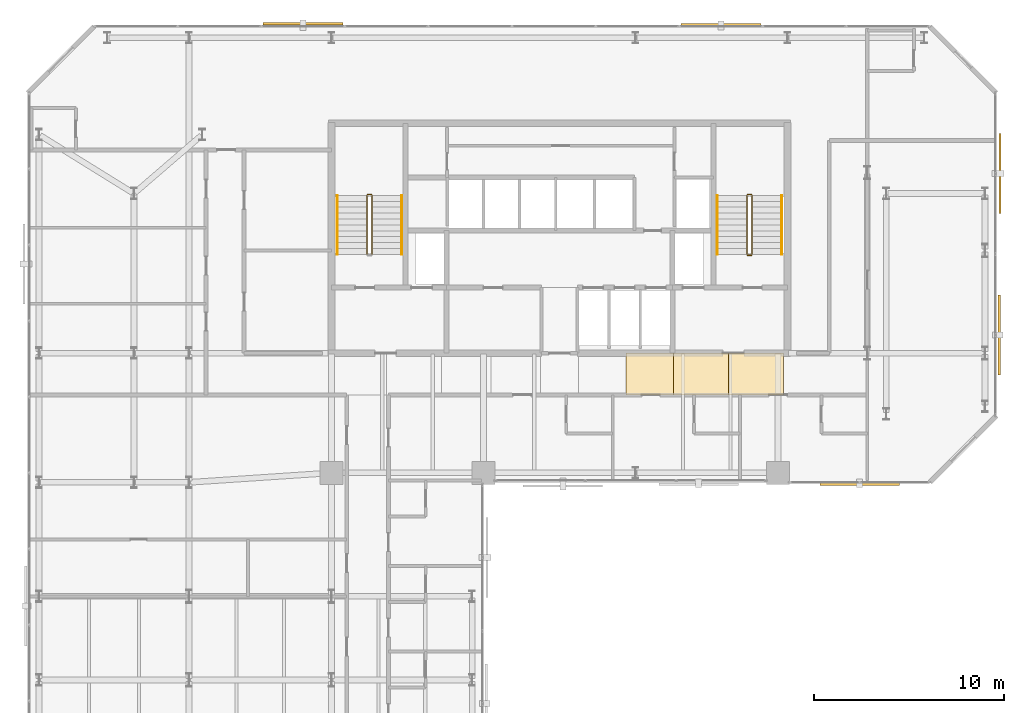
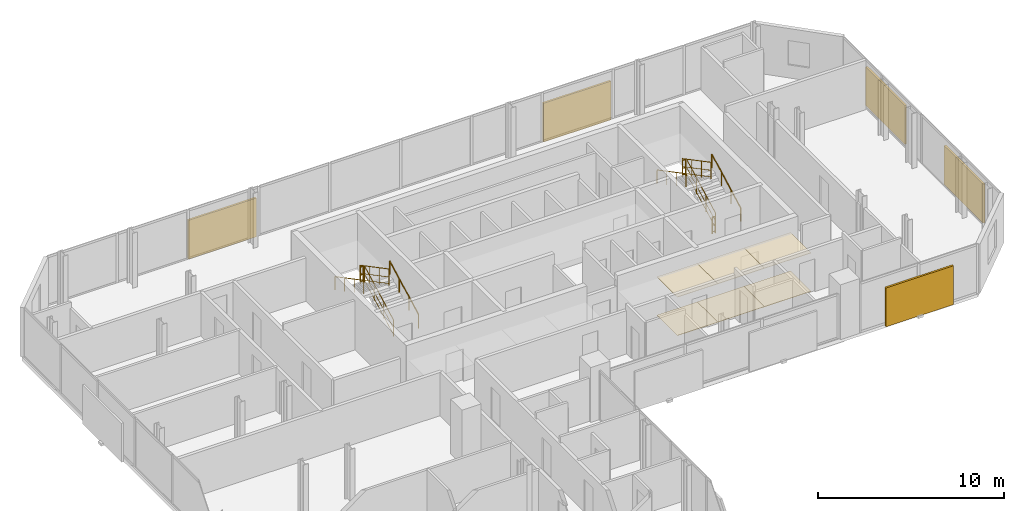
# One storey, part 32 of 32: 11 railings, 6 coverings, 5 shading devices.
"""IFC4 building model written with IfcOpenShell, lengths in metres."""

from ifc_helpers import new_model, si_unit, direction, frame, origin, origin_2d, place, context, subcontext, project, spatial, polyline, rectangle, circle, outline, extrude, material, layer, layer_set, type_object, element, save


model = new_model("IFC4")

# Units and contexts
model_context = context("Model", 3, precision=1e-05, world=origin(), true_north=direction((0.0, 1.0)))
body_context = subcontext(model_context, "Body", "Model", "MODEL_VIEW")
ifc_project = project(units=[si_unit("LENGTHUNIT", "METRE"), si_unit("AREAUNIT", "SQUARE_METRE"), si_unit("VOLUMEUNIT", "CUBIC_METRE"), si_unit("PLANEANGLEUNIT", "RADIAN"), si_unit("MASSUNIT", "GRAM", prefix="KILO")], contexts=[model_context])

# Site, building, storey
site_placement = place(None, origin())
site = spatial("IfcSite", under=ifc_project, at=site_placement, CompositionType="ELEMENT")
building_placement = place(site_placement, origin())
building = spatial("IfcBuilding", under=site, at=building_placement, Name="Catumbela Crestline Tower", CompositionType="ELEMENT")
storey_placement = place(building_placement, frame((0.0, 0.0, 140.4)))
storey = spatial("IfcBuildingStorey", under=building, at=storey_placement, Name="L36", CompositionType="ELEMENT", Elevation=140.4)

# Coverings
ifc_material_1 = material(Name="Mineral-fibre acoustic ceiling")
ifc_layer_1 = layer(ifc_material_1, 0.03, Name="Mineral-fibre acoustic ceiling")
ifc_layer_set_1 = layer_set([ifc_layer_1], Name="Mineral-fibre acoustic ceiling")
covering_type_1 = type_object("IfcCoveringType", Name="CC-AC", PredefinedType="CEILING", material=ifc_layer_set_1)
covering_1_placement = place(storey_placement, frame((0.0, 0.0, 2.52)))
element("IfcCovering", 1, at=covering_1_placement, inside=storey, type_object=covering_type_1, Name="L36 Corridor Acoustic Ceiling Bay 6", PredefinedType="CEILING", context=body_context, shape_type="SweptSolid", body=[
    extrude(outline(polyline([(31.5, 28.6), (34.0, 28.6), (34.0, 30.8), (31.5, 30.8), (31.5, 28.6)])), origin(), (0.0, 0.0, 1.0), 0.03),
])
covering_2_placement = place(storey_placement, frame((0.0, 0.0, 2.52)))
element("IfcCovering", 2, at=covering_2_placement, inside=storey, type_object=covering_type_1, Name="L36 Corridor Acoustic Ceiling Bay 7", PredefinedType="CEILING", context=body_context, shape_type="SweptSolid", body=[
    extrude(outline(polyline([(34.0, 28.6), (36.9, 28.6), (36.9, 30.8), (34.0, 30.8), (34.0, 28.6)])), origin(), (0.0, 0.0, 1.0), 0.03),
])
covering_3_placement = place(storey_placement, frame((0.0, 0.0, 2.52)))
element("IfcCovering", 3, at=covering_3_placement, inside=storey, type_object=covering_type_1, Name="L36 Corridor Acoustic Ceiling Bay 8", PredefinedType="CEILING", context=body_context, shape_type="SweptSolid", body=[
    extrude(outline(polyline([(36.9, 28.6), (39.8, 28.6), (39.8, 30.8), (36.9, 30.8), (36.9, 28.6)])), origin(), (0.0, 0.0, 1.0), 0.03),
])
ifc_material_2 = material(Name="Angolan grey-ochre granite", Category="masonry")
ifc_layer_2 = layer(ifc_material_2, 0.025, Name="Angolan grey-ochre granite")
ifc_layer_set_2 = layer_set([ifc_layer_2], Name="Angolan grey-ochre granite")
covering_type_2 = type_object("IfcCoveringType", Name="CF-GR", PredefinedType="FLOORING", material=ifc_layer_set_2)
covering_4_placement = place(storey_placement, origin())
element("IfcCovering", 4, at=covering_4_placement, inside=storey, type_object=covering_type_2, Name="L36 Corridor Granite Flooring Bay 6", PredefinedType="FLOORING", context=body_context, shape_type="SweptSolid", body=[
    extrude(outline(polyline([(31.5, 28.6), (34.0, 28.6), (34.0, 30.8), (31.5, 30.8), (31.5, 28.6)])), origin(), (0.0, 0.0, 1.0), 0.025),
])
covering_5_placement = place(storey_placement, origin())
element("IfcCovering", 5, at=covering_5_placement, inside=storey, type_object=covering_type_2, Name="L36 Corridor Granite Flooring Bay 7", PredefinedType="FLOORING", context=body_context, shape_type="SweptSolid", body=[
    extrude(outline(polyline([(34.0, 28.6), (36.9, 28.6), (36.9, 30.8), (34.0, 30.8), (34.0, 28.6)])), origin(), (0.0, 0.0, 1.0), 0.025),
])
covering_6_placement = place(storey_placement, origin())
element("IfcCovering", 6, at=covering_6_placement, inside=storey, type_object=covering_type_2, Name="L36 Corridor Granite Flooring Bay 8", PredefinedType="FLOORING", context=body_context, shape_type="SweptSolid", body=[
    extrude(outline(polyline([(36.9, 28.6), (39.8, 28.6), (39.8, 30.8), (36.9, 30.8), (36.9, 28.6)])), origin(), (0.0, 0.0, 1.0), 0.025),
])

# Railings
ifc_material_3 = material(Name="Stainless steel EN 1.4401", Category="steel")
railing_type_1 = type_object("IfcRailingType", Name="RG-1100", PredefinedType="GUARDRAIL", material=ifc_material_3)
railing_1_placement = place(storey_placement, frame((18.14, 36.0, 0.1636)))
element("IfcRailing", 7, at=railing_1_placement, inside=storey, type_object=railing_type_1, Name="L36 ST-01 stair guard 1", PredefinedType="GUARDRAIL", context=body_context, shape_type="SweptSolid", body=[
    extrude(circle(Radius=0.024, at=origin_2d()), frame((0.0, 0.0, 1.076), z_axis=(0.0, 0.884350731049, 0.466823076222), x_axis=(-1.0, 0.0, 0.0)), (0.0, 0.0, 1.0), 3.5054),
    extrude(circle(Radius=0.0156, at=origin_2d()), frame((0.0, 0.0, 0.55), z_axis=(0.0, 0.884350731049, 0.466823076222), x_axis=(-1.0, 0.0, 0.0)), (0.0, 0.0, 1.0), 3.5054),
    extrude(circle(Radius=0.0156, at=origin_2d()), frame((0.0, 0.0, 0.12), z_axis=(0.0, 0.884350731049, 0.466823076222), x_axis=(-1.0, 0.0, 0.0)), (0.0, 0.0, 1.0), 3.5054),
    extrude(circle(Radius=0.021, at=origin_2d()), origin(), (0.0, 0.0, 1.0), 1.052),
    extrude(circle(Radius=0.021, at=origin_2d()), frame((0.0, 1.0333, 0.5455)), (0.0, 0.0, 1.0), 1.052),
    extrude(circle(Radius=0.021, at=origin_2d()), frame((0.0, 2.0667, 1.0909)), (0.0, 0.0, 1.0), 1.052),
    extrude(circle(Radius=0.021, at=origin_2d()), frame((0.0, 3.1, 1.6364)), (0.0, 0.0, 1.0), 1.052),
])
railing_2_placement = place(storey_placement, frame((18.09, 39.15, 1.8)))
element("IfcRailing", 8, at=railing_2_placement, inside=storey, type_object=railing_type_1, Name="L36 ST-01 stair guard 2", PredefinedType="GUARDRAIL", context=body_context, shape_type="SweptSolid", body=[
    extrude(circle(Radius=0.024, at=origin_2d()), frame((0.0, 0.0, 1.076), z_axis=(-1.0, 0.0, 0.0), x_axis=(0.0, -1.0, 0.0)), (0.0, 0.0, 1.0), 0.18),
    extrude(circle(Radius=0.0156, at=origin_2d()), frame((0.0, 0.0, 0.55), z_axis=(-1.0, 0.0, 0.0), x_axis=(0.0, -1.0, 0.0)), (0.0, 0.0, 1.0), 0.18),
    extrude(circle(Radius=0.0156, at=origin_2d()), frame((0.0, 0.0, 0.12), z_axis=(-1.0, 0.0, 0.0), x_axis=(0.0, -1.0, 0.0)), (0.0, 0.0, 1.0), 0.18),
    extrude(circle(Radius=0.021, at=origin_2d()), origin(), (0.0, 0.0, 1.0), 1.052),
    extrude(circle(Radius=0.021, at=origin_2d()), frame((-0.18, 0.0, 0.0)), (0.0, 0.0, 1.0), 1.052),
])
railing_3_placement = place(storey_placement, frame((17.86, 39.1, 1.9636)))
element("IfcRailing", 9, at=railing_3_placement, inside=storey, type_object=railing_type_1, Name="L36 ST-01 stair guard 3", PredefinedType="GUARDRAIL", context=body_context, shape_type="SweptSolid", body=[
    extrude(circle(Radius=0.024, at=origin_2d()), frame((0.0, 0.0, 1.076), z_axis=(0.0, -0.884350731049, 0.466823076222), x_axis=(1.0, 0.0, 0.0)), (0.0, 0.0, 1.0), 3.5054),
    extrude(circle(Radius=0.0156, at=origin_2d()), frame((0.0, 0.0, 0.55), z_axis=(0.0, -0.884350731049, 0.466823076222), x_axis=(1.0, 0.0, 0.0)), (0.0, 0.0, 1.0), 3.5054),
    extrude(circle(Radius=0.0156, at=origin_2d()), frame((0.0, 0.0, 0.12), z_axis=(0.0, -0.884350731049, 0.466823076222), x_axis=(1.0, 0.0, 0.0)), (0.0, 0.0, 1.0), 3.5054),
    extrude(circle(Radius=0.021, at=origin_2d()), origin(), (0.0, 0.0, 1.0), 1.052),
    extrude(circle(Radius=0.021, at=origin_2d()), frame((0.0, -1.0333, 0.5455)), (0.0, 0.0, 1.0), 1.052),
    extrude(circle(Radius=0.021, at=origin_2d()), frame((0.0, -2.0667, 1.0909)), (0.0, 0.0, 1.0), 1.052),
    extrude(circle(Radius=0.021, at=origin_2d()), frame((0.0, -3.1, 1.6364)), (0.0, 0.0, 1.0), 1.052),
])
railing_4_placement = place(storey_placement, frame((38.14, 36.0, 0.1636)))
element("IfcRailing", 10, at=railing_4_placement, inside=storey, type_object=railing_type_1, Name="L36 ST-02 stair guard 1", PredefinedType="GUARDRAIL", context=body_context, shape_type="SweptSolid", body=[
    extrude(circle(Radius=0.024, at=origin_2d()), frame((0.0, 0.0, 1.076), z_axis=(0.0, 0.884350731049, 0.466823076222), x_axis=(-1.0, 0.0, 0.0)), (0.0, 0.0, 1.0), 3.5054),
    extrude(circle(Radius=0.0156, at=origin_2d()), frame((0.0, 0.0, 0.55), z_axis=(0.0, 0.884350731049, 0.466823076222), x_axis=(-1.0, 0.0, 0.0)), (0.0, 0.0, 1.0), 3.5054),
    extrude(circle(Radius=0.0156, at=origin_2d()), frame((0.0, 0.0, 0.12), z_axis=(0.0, 0.884350731049, 0.466823076222), x_axis=(-1.0, 0.0, 0.0)), (0.0, 0.0, 1.0), 3.5054),
    extrude(circle(Radius=0.021, at=origin_2d()), origin(), (0.0, 0.0, 1.0), 1.052),
    extrude(circle(Radius=0.021, at=origin_2d()), frame((0.0, 1.0333, 0.5455)), (0.0, 0.0, 1.0), 1.052),
    extrude(circle(Radius=0.021, at=origin_2d()), frame((0.0, 2.0667, 1.0909)), (0.0, 0.0, 1.0), 1.052),
    extrude(circle(Radius=0.021, at=origin_2d()), frame((0.0, 3.1, 1.6364)), (0.0, 0.0, 1.0), 1.052),
])
railing_5_placement = place(storey_placement, frame((38.09, 39.15, 1.8)))
element("IfcRailing", 11, at=railing_5_placement, inside=storey, type_object=railing_type_1, Name="L36 ST-02 stair guard 2", PredefinedType="GUARDRAIL", context=body_context, shape_type="SweptSolid", body=[
    extrude(circle(Radius=0.024, at=origin_2d()), frame((0.0, 0.0, 1.076), z_axis=(-1.0, 0.0, 0.0), x_axis=(0.0, -1.0, 0.0)), (0.0, 0.0, 1.0), 0.18),
    extrude(circle(Radius=0.0156, at=origin_2d()), frame((0.0, 0.0, 0.55), z_axis=(-1.0, 0.0, 0.0), x_axis=(0.0, -1.0, 0.0)), (0.0, 0.0, 1.0), 0.18),
    extrude(circle(Radius=0.0156, at=origin_2d()), frame((0.0, 0.0, 0.12), z_axis=(-1.0, 0.0, 0.0), x_axis=(0.0, -1.0, 0.0)), (0.0, 0.0, 1.0), 0.18),
    extrude(circle(Radius=0.021, at=origin_2d()), origin(), (0.0, 0.0, 1.0), 1.052),
    extrude(circle(Radius=0.021, at=origin_2d()), frame((-0.18, 0.0, 0.0)), (0.0, 0.0, 1.0), 1.052),
])
railing_6_placement = place(storey_placement, frame((37.86, 39.1, 1.9636)))
element("IfcRailing", 12, at=railing_6_placement, inside=storey, type_object=railing_type_1, Name="L36 ST-02 stair guard 3", PredefinedType="GUARDRAIL", context=body_context, shape_type="SweptSolid", body=[
    extrude(circle(Radius=0.024, at=origin_2d()), frame((0.0, 0.0, 1.076), z_axis=(0.0, -0.884350731049, 0.466823076222), x_axis=(1.0, 0.0, 0.0)), (0.0, 0.0, 1.0), 3.5054),
    extrude(circle(Radius=0.0156, at=origin_2d()), frame((0.0, 0.0, 0.55), z_axis=(0.0, -0.884350731049, 0.466823076222), x_axis=(1.0, 0.0, 0.0)), (0.0, 0.0, 1.0), 3.5054),
    extrude(circle(Radius=0.0156, at=origin_2d()), frame((0.0, 0.0, 0.12), z_axis=(0.0, -0.884350731049, 0.466823076222), x_axis=(1.0, 0.0, 0.0)), (0.0, 0.0, 1.0), 3.5054),
    extrude(circle(Radius=0.021, at=origin_2d()), origin(), (0.0, 0.0, 1.0), 1.052),
    extrude(circle(Radius=0.021, at=origin_2d()), frame((0.0, -1.0333, 0.5455)), (0.0, 0.0, 1.0), 1.052),
    extrude(circle(Radius=0.021, at=origin_2d()), frame((0.0, -2.0667, 1.0909)), (0.0, 0.0, 1.0), 1.052),
    extrude(circle(Radius=0.021, at=origin_2d()), frame((0.0, -3.1, 1.6364)), (0.0, 0.0, 1.0), 1.052),
])
railing_7_placement = place(storey_placement, frame((38.09, 35.95, 0.0)))
element("IfcRailing", 13, at=railing_7_placement, inside=storey, type_object=railing_type_1, Name="L36 ST-02 stair guard 4", PredefinedType="GUARDRAIL", context=body_context, shape_type="SweptSolid", body=[
    extrude(circle(Radius=0.024, at=origin_2d()), frame((0.0, 0.0, 1.076), z_axis=(-1.0, 0.0, 0.0), x_axis=(0.0, -1.0, 0.0)), (0.0, 0.0, 1.0), 0.18),
    extrude(circle(Radius=0.0156, at=origin_2d()), frame((0.0, 0.0, 0.55), z_axis=(-1.0, 0.0, 0.0), x_axis=(0.0, -1.0, 0.0)), (0.0, 0.0, 1.0), 0.18),
    extrude(circle(Radius=0.0156, at=origin_2d()), frame((0.0, 0.0, 0.12), z_axis=(-1.0, 0.0, 0.0), x_axis=(0.0, -1.0, 0.0)), (0.0, 0.0, 1.0), 0.18),
    extrude(circle(Radius=0.021, at=origin_2d()), origin(), (0.0, 0.0, 1.0), 1.052),
    extrude(circle(Radius=0.021, at=origin_2d()), frame((-0.18, 0.0, 0.0)), (0.0, 0.0, 1.0), 1.052),
])
railing_type_2 = type_object("IfcRailingType", Name="RH-0900", PredefinedType="HANDRAIL", material=ifc_material_3)
railing_8_placement = place(storey_placement, frame((19.7, 36.0, 0.1636)))
element("IfcRailing", 14, at=railing_8_placement, inside=storey, type_object=railing_type_2, Name="L36 ST-01 stair handrail 1", PredefinedType="HANDRAIL", context=body_context, shape_type="SweptSolid", body=[
    extrude(circle(Radius=0.024, at=origin_2d()), frame((0.0, 0.0, 0.876), z_axis=(0.0, 0.884350731049, 0.466823076222), x_axis=(-1.0, 0.0, 0.0)), (0.0, 0.0, 1.0), 3.5054),
    extrude(circle(Radius=0.021, at=origin_2d()), origin(), (0.0, 0.0, 1.0), 0.852),
    extrude(circle(Radius=0.021, at=origin_2d()), frame((0.0, 1.0333, 0.5455)), (0.0, 0.0, 1.0), 0.852),
    extrude(circle(Radius=0.021, at=origin_2d()), frame((0.0, 2.0667, 1.0909)), (0.0, 0.0, 1.0), 0.852),
    extrude(circle(Radius=0.021, at=origin_2d()), frame((0.0, 3.1, 1.6364)), (0.0, 0.0, 1.0), 0.852),
])
railing_9_placement = place(storey_placement, frame((16.3, 39.1, 1.9636)))
element("IfcRailing", 15, at=railing_9_placement, inside=storey, type_object=railing_type_2, Name="L36 ST-01 stair handrail 2", PredefinedType="HANDRAIL", context=body_context, shape_type="SweptSolid", body=[
    extrude(circle(Radius=0.024, at=origin_2d()), frame((0.0, 0.0, 0.876), z_axis=(0.0, -0.884350731049, 0.466823076222), x_axis=(1.0, 0.0, 0.0)), (0.0, 0.0, 1.0), 3.5054),
    extrude(circle(Radius=0.021, at=origin_2d()), origin(), (0.0, 0.0, 1.0), 0.852),
    extrude(circle(Radius=0.021, at=origin_2d()), frame((0.0, -1.0333, 0.5455)), (0.0, 0.0, 1.0), 0.852),
    extrude(circle(Radius=0.021, at=origin_2d()), frame((0.0, -2.0667, 1.0909)), (0.0, 0.0, 1.0), 0.852),
    extrude(circle(Radius=0.021, at=origin_2d()), frame((0.0, -3.1, 1.6364)), (0.0, 0.0, 1.0), 0.852),
])
railing_10_placement = place(storey_placement, frame((39.7, 36.0, 0.1636)))
element("IfcRailing", 16, at=railing_10_placement, inside=storey, type_object=railing_type_2, Name="L36 ST-02 stair handrail 1", PredefinedType="HANDRAIL", context=body_context, shape_type="SweptSolid", body=[
    extrude(circle(Radius=0.024, at=origin_2d()), frame((0.0, 0.0, 0.876), z_axis=(0.0, 0.884350731049, 0.466823076222), x_axis=(-1.0, 0.0, 0.0)), (0.0, 0.0, 1.0), 3.5054),
    extrude(circle(Radius=0.021, at=origin_2d()), origin(), (0.0, 0.0, 1.0), 0.852),
    extrude(circle(Radius=0.021, at=origin_2d()), frame((0.0, 1.0333, 0.5455)), (0.0, 0.0, 1.0), 0.852),
    extrude(circle(Radius=0.021, at=origin_2d()), frame((0.0, 2.0667, 1.0909)), (0.0, 0.0, 1.0), 0.852),
    extrude(circle(Radius=0.021, at=origin_2d()), frame((0.0, 3.1, 1.6364)), (0.0, 0.0, 1.0), 0.852),
])
railing_11_placement = place(storey_placement, frame((36.3, 39.1, 1.9636)))
element("IfcRailing", 17, at=railing_11_placement, inside=storey, type_object=railing_type_2, Name="L36 ST-02 stair handrail 2", PredefinedType="HANDRAIL", context=body_context, shape_type="SweptSolid", body=[
    extrude(circle(Radius=0.024, at=origin_2d()), frame((0.0, 0.0, 0.876), z_axis=(0.0, -0.884350731049, 0.466823076222), x_axis=(1.0, 0.0, 0.0)), (0.0, 0.0, 1.0), 3.5054),
    extrude(circle(Radius=0.021, at=origin_2d()), origin(), (0.0, 0.0, 1.0), 0.852),
    extrude(circle(Radius=0.021, at=origin_2d()), frame((0.0, -1.0333, 0.5455)), (0.0, 0.0, 1.0), 0.852),
    extrude(circle(Radius=0.021, at=origin_2d()), frame((0.0, -2.0667, 1.0909)), (0.0, 0.0, 1.0), 0.852),
    extrude(circle(Radius=0.021, at=origin_2d()), frame((0.0, -3.1, 1.6364)), (0.0, 0.0, 1.0), 0.852),
])

# Shading devices
ifc_material_4 = material(Name="Extruded terracotta ceramic", Category="masonry")
shading_device_type_1 = type_object("IfcShadingDeviceType", Name="ST-180", PredefinedType="USERDEFINED", material=ifc_material_4)
for number, where, z_axis, x_axis, name in (
    (18, (43.8, 23.901, -0.1), (0.0, 0.0, 1.0), (1.0, 0.0, 0.0), "L36 Perforated Terracotta Solar Screen 399 (180 mm)"),
    (19, (36.5, 48.099, -0.1), (0.0, 0.0, 1.0), (-1.0, 0.0, 0.0), "L36 Perforated Terracotta Solar Screen 402 (180 mm)"),
):
    element("IfcShadingDevice", number, at=place(storey_placement, frame(where, z_axis=z_axis, x_axis=x_axis)), inside=storey, type_object=shading_device_type_1, Name=name, ObjectType="SCREEN", PredefinedType="USERDEFINED", context=body_context, shape_type="SweptSolid", body=[
        extrude(rectangle(XDim=4.2, YDim=0.12, at=origin_2d()), origin(), (0.0, 0.0, 1.0), 2.55),
    ])
shading_device_type_2 = type_object("IfcShadingDeviceType", Name="ST-260", PredefinedType="USERDEFINED", material=ifc_material_4)
for number, where, z_axis, x_axis, name in (
    (20, (51.143, 31.75, -0.1), (0.0, 0.0, 1.0), (0.0, 1.0, 0.0), "L36 Perforated Terracotta Solar Screen 400 (260 mm)"),
    (21, (14.5, 48.143, -0.1), (0.0, 0.0, 1.0), (-1.0, 0.0, 0.0), "L36 Perforated Terracotta Solar Screen 403 (260 mm)"),
):
    element("IfcShadingDevice", number, at=place(storey_placement, frame(where, z_axis=z_axis, x_axis=x_axis)), inside=storey, type_object=shading_device_type_2, Name=name, ObjectType="SCREEN", PredefinedType="USERDEFINED", context=body_context, shape_type="SweptSolid", body=[
        extrude(rectangle(XDim=4.2, YDim=0.12, at=origin_2d()), origin(), (0.0, 0.0, 1.0), 2.55),
    ])
shading_device_type_3 = type_object("IfcShadingDeviceType", Name="ST-340", PredefinedType="USERDEFINED", material=ifc_material_4)
shading_device_placement = place(storey_placement, frame((51.187, 40.25, -0.1), z_axis=(0.0, 0.0, 1.0), x_axis=(0.0, 1.0, 0.0)))
element("IfcShadingDevice", 22, at=shading_device_placement, inside=storey, type_object=shading_device_type_3, Name="L36 Perforated Terracotta Solar Screen 401 (340 mm)", ObjectType="SCREEN", PredefinedType="USERDEFINED", context=body_context, shape_type="SweptSolid", body=[
    extrude(rectangle(XDim=4.2, YDim=0.12, at=origin_2d()), origin(), (0.0, 0.0, 1.0), 2.55),
])

save(model, "model.ifc")
